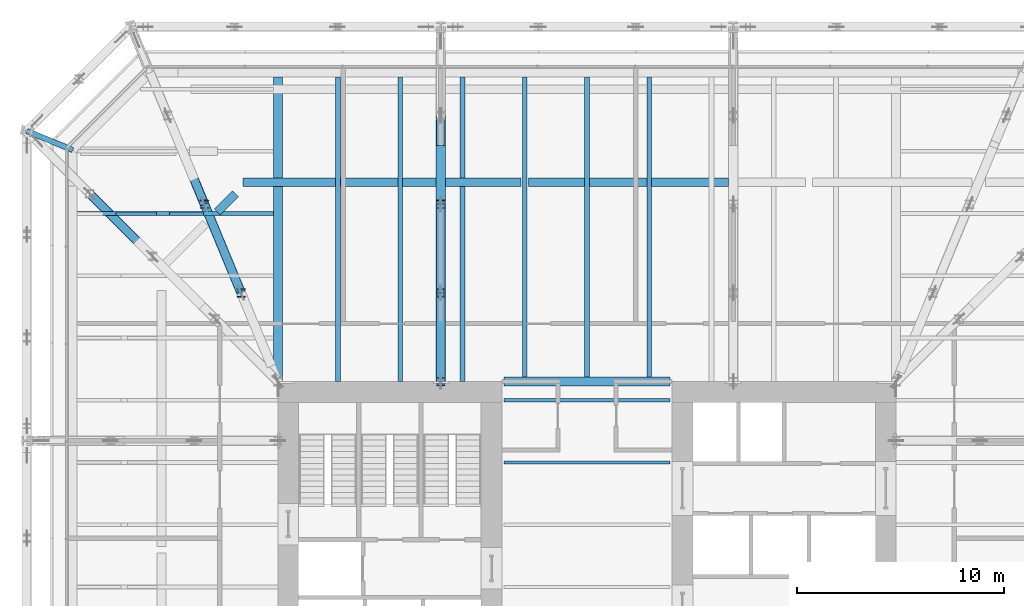
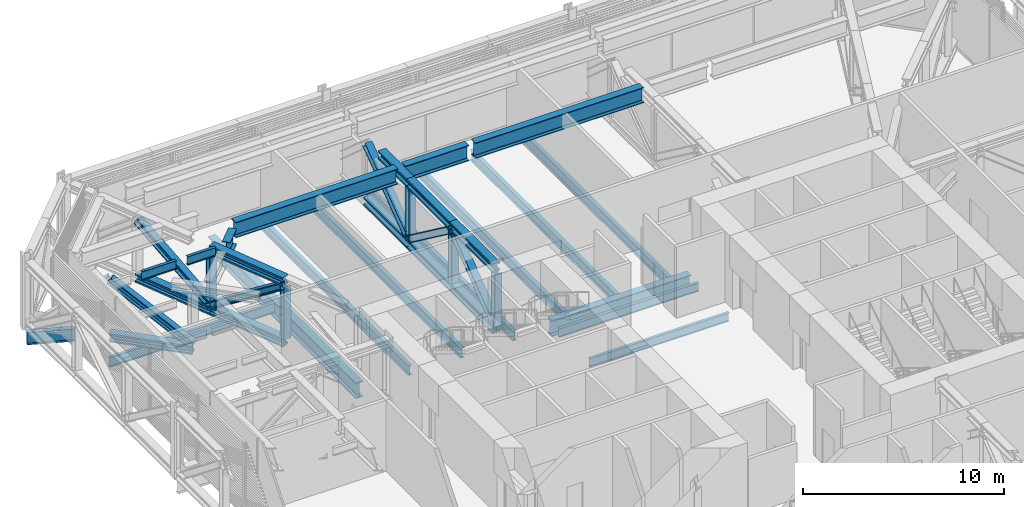
# One storey, part 15 of 33: 28 beams, 11 members.
"""IFC4 building model written with IfcOpenShell, lengths in metres."""

from ifc_helpers import new_model, si_unit, direction, frame, origin, origin_2d, place, context, subcontext, project, spatial, i_section, extrude, material, material_profile, profile_set, type_object, element, save


model = new_model("IFC4")

# Units and contexts
model_context = context("Model", 3, precision=1e-05, world=origin(), true_north=direction((0.0, 1.0)))
body_context = subcontext(model_context, "Body", "Model", "MODEL_VIEW")
ifc_project = project(units=[si_unit("LENGTHUNIT", "METRE"), si_unit("AREAUNIT", "SQUARE_METRE"), si_unit("VOLUMEUNIT", "CUBIC_METRE"), si_unit("PLANEANGLEUNIT", "RADIAN"), si_unit("MASSUNIT", "GRAM", prefix="KILO")], contexts=[model_context])

# Site, building, storey
site_placement = place(None, origin())
site = spatial("IfcSite", under=ifc_project, at=site_placement, CompositionType="ELEMENT")
building_placement = place(site_placement, origin())
building = spatial("IfcBuilding", under=site, at=building_placement, Name="Millrace Tower", CompositionType="ELEMENT")
storey_placement = place(building_placement, frame((0.0, 0.0, 64.10009765625)))
storey = spatial("IfcBuildingStorey", under=building, at=storey_placement, Name="L14", CompositionType="ELEMENT", Elevation=64.10009765625)

# Beams
ifc_material_1 = material(Name="Steel ASTM A992 Grade 50", Category="steel")
ifc_material_profile_1 = material_profile(ifc_material_1, i_section(OverallWidth=0.1650390625, OverallDepth=0.52587890625, WebThickness=0.0087890625, FlangeThickness=0.011474609375, FilletRadius=0.0126953125, at=origin_2d()))
ifc_profile_set_1 = profile_set([ifc_material_profile_1], Name="Steel ASTM A992 Grade 50")
beam_type_1 = type_object("IfcBeamType", Name="Floor beam W21x44", PredefinedType="JOIST", material=ifc_profile_set_1)
for number, where, z_axis, x_axis, name in (
    (1, (-4.0, 6.0, -0.512939453125), (1.0, 0.0, 0.0), (0.0, 1.0, 0.0), "BM-A-L14-S1-S026"),
    (2, (-4.0, 9.0, -0.512939453125), (1.0, 0.0, 0.0), (0.0, 1.0, 0.0), "BM-A-L14-S1-S029"),
):
    element("IfcBeam", number, at=place(storey_placement, frame(where, z_axis=z_axis, x_axis=x_axis)), inside=storey, type_object=beam_type_1, Name=name, PredefinedType="JOIST", context=body_context, shape_type="SweptSolid", body=[
        extrude(i_section(OverallWidth=0.1650390625, OverallDepth=0.52587890625, WebThickness=0.0087890625, FlangeThickness=0.011474609375, FilletRadius=0.0126953125, at=origin_2d()), origin(), (0.0, 0.0, 1.0), 8.0),
    ])
beam_1_placement = place(storey_placement, frame((-22.708740234375, 18.0, 4.037109375), z_axis=(1.0, 0.0, 0.0), x_axis=(0.0, 1.0, 0.0)))
element("IfcBeam", 3, at=beam_1_placement, inside=storey, type_object=beam_type_1, Name="BM-A-L14-R1-S015-b-a", PredefinedType="JOIST", context=body_context, shape_type="SweptSolid", body=[
    extrude(i_section(OverallWidth=0.1650390625, OverallDepth=0.52587890625, WebThickness=0.0087890625, FlangeThickness=0.011474609375, FilletRadius=0.0126953125, at=origin_2d()), origin(), (0.0, 0.0, 1.0), 1.967529296875),
])
beam_2_placement = place(storey_placement, frame((-20.115478515625, 18.0, 4.037109375), z_axis=(1.0, 0.0, 0.0), x_axis=(0.0, 1.0, 0.0)))
element("IfcBeam", 4, at=beam_2_placement, inside=storey, type_object=beam_type_1, Name="BM-A-L14-R1-S015-b-b", PredefinedType="JOIST", context=body_context, shape_type="SweptSolid", body=[
    extrude(i_section(OverallWidth=0.1650390625, OverallDepth=0.52587890625, WebThickness=0.0087890625, FlangeThickness=0.011474609375, FilletRadius=0.0126953125, at=origin_2d()), origin(), (0.0, 0.0, 1.0), 1.626220703125),
])
ifc_material_2 = material(Name="Steel ASTM A992 Grade 50", Category="steel")
ifc_material_profile_2 = material_profile(ifc_material_2, i_section(OverallWidth=0.177978515625, OverallDepth=0.599365234375, WebThickness=0.010009765625, FlangeThickness=0.012939453125, FilletRadius=0.012939453125, at=origin_2d()))
ifc_profile_set_2 = profile_set([ifc_material_profile_2], Name="Steel ASTM A992 Grade 50")
beam_type_2 = type_object("IfcBeamType", Name="Floor beam W24x55", PredefinedType="JOIST", material=ifc_profile_set_2)
beam_3_placement = place(storey_placement, frame((-24.578369140625, 18.0, -0.5498046875), z_axis=(1.0, 0.0, 0.0), x_axis=(0.0, 1.0, 0.0)))
element("IfcBeam", 5, at=beam_3_placement, inside=storey, type_object=beam_type_2, Name="BM-A-L14-S1-S036", PredefinedType="JOIST", context=body_context, shape_type="SweptSolid", body=[
    extrude(i_section(OverallWidth=0.177978515625, OverallDepth=0.599365234375, WebThickness=0.010009765625, FlangeThickness=0.012939453125, FilletRadius=0.012939453125, at=origin_2d()), origin(), (0.0, 0.0, 1.0), 9.46630859375),
])
ifc_material_3 = material(Name="Steel ASTM A992 Grade 50", Category="steel")
ifc_material_profile_3 = material_profile(ifc_material_3, i_section(OverallWidth=0.228271484375, OverallDepth=0.607177734375, WebThickness=0.01123046875, FlangeThickness=0.017333984375, FilletRadius=0.0126953125, at=origin_2d()))
ifc_profile_set_3 = profile_set([ifc_material_profile_3], Name="Steel ASTM A992 Grade 50")
beam_type_3 = type_object("IfcBeamType", Name="Floor beam W24x76", PredefinedType="JOIST", material=ifc_profile_set_3)
for number, where, z_axis, x_axis, name in (
    (6, (-12.0, 9.89990234375, -0.5537109375), (0.0, 1.0, 0.0), (-1.0, 0.0, 0.0), "BM-A-L14-S1-S042"),
    (7, (-9.0, 9.89990234375, -0.5537109375), (0.0, 1.0, 0.0), (-1.0, 0.0, 0.0), "BM-A-L14-S1-S044"),
    (8, (-6.0, 9.89990234375, -0.5537109375), (0.0, 1.0, 0.0), (-1.0, 0.0, 0.0), "BM-A-L14-S1-S046"),
):
    element("IfcBeam", number, at=place(storey_placement, frame(where, z_axis=z_axis, x_axis=x_axis)), inside=storey, type_object=beam_type_3, Name=name, PredefinedType="JOIST", context=body_context, shape_type="SweptSolid", body=[
        extrude(i_section(OverallWidth=0.228271484375, OverallDepth=0.607177734375, WebThickness=0.01123046875, FlangeThickness=0.017333984375, FilletRadius=0.0126953125, at=origin_2d()), origin(), (0.0, 0.0, 1.0), 14.678466796875),
    ])
for number, where, z_axis, x_axis, name in (
    (9, (-3.0, 10.112060546875, -0.5537109375), (0.0, 1.0, 0.0), (-1.0, 0.0, 0.0), "BM-A-L14-S1-S048"),
    (10, (0.0, 10.112060546875, -0.5537109375), (0.0, 1.0, 0.0), (-1.0, 0.0, 0.0), "BM-A-L14-S1-S050"),
    (11, (3.0, 10.112060546875, -0.5537109375), (0.0, 1.0, 0.0), (-1.0, 0.0, 0.0), "BM-A-L14-S1-S052"),
):
    element("IfcBeam", number, at=place(storey_placement, frame(where, z_axis=z_axis, x_axis=x_axis)), inside=storey, type_object=beam_type_3, Name=name, PredefinedType="JOIST", context=body_context, shape_type="SweptSolid", body=[
        extrude(i_section(OverallWidth=0.228271484375, OverallDepth=0.607177734375, WebThickness=0.01123046875, FlangeThickness=0.017333984375, FilletRadius=0.0126953125, at=origin_2d()), origin(), (0.0, 0.0, 1.0), 14.46630859375),
    ])
ifc_material_4 = material(Name="Steel ASTM A992 Grade 50", Category="steel")
ifc_material_profile_4 = material_profile(ifc_material_4, i_section(OverallWidth=0.424072265625, OverallDepth=0.947509765625, WebThickness=0.02392578125, FlangeThickness=0.042724609375, FilletRadius=0.024169921875, at=origin_2d()))
ifc_profile_set_4 = profile_set([ifc_material_profile_4], Name="Steel ASTM A992 Grade 50")
beam_type_4 = type_object("IfcBeamType", Name="Girder medium span W36x302", PredefinedType="BEAM", material=ifc_profile_set_4)
beam_4_placement = place(storey_placement, frame((-14.89990234375, 9.89990234375, -0.723876953125), z_axis=(0.0, 1.0, 0.0), x_axis=(-1.0, 0.0, 0.0)))
element("IfcBeam", 12, at=beam_4_placement, inside=storey, type_object=beam_type_4, Name="BM-A-L14-S1-G060", PredefinedType="BEAM", context=body_context, shape_type="SweptSolid", body=[
    extrude(i_section(OverallWidth=0.424072265625, OverallDepth=0.947509765625, WebThickness=0.02392578125, FlangeThickness=0.042724609375, FilletRadius=0.024169921875, at=origin_2d()), origin(), (0.0, 0.0, 1.0), 14.678466796875),
])
ifc_material_5 = material(Name="Steel ASTM A992 Grade 50", Category="steel")
ifc_material_profile_5 = material_profile(ifc_material_5, i_section(OverallWidth=0.424072265625, OverallDepth=0.947509765625, WebThickness=0.02392578125, FlangeThickness=0.042724609375, FilletRadius=0.024169921875, at=origin_2d()))
ifc_profile_set_5 = profile_set([ifc_material_profile_5], Name="Steel ASTM A992 Grade 50")
beam_type_5 = type_object("IfcBeamType", Name="Girder short span W36x302", PredefinedType="BEAM", material=ifc_profile_set_5)
beam_5_placement = place(storey_placement, frame((-4.0, 9.89990234375, -0.723876953125), z_axis=(1.0, 0.0, 0.0), x_axis=(0.0, 1.0, 0.0)))
element("IfcBeam", 13, at=beam_5_placement, inside=storey, type_object=beam_type_5, Name="BM-A-L14-S1-G064", PredefinedType="BEAM", context=body_context, shape_type="SweptSolid", body=[
    extrude(i_section(OverallWidth=0.424072265625, OverallDepth=0.947509765625, WebThickness=0.02392578125, FlangeThickness=0.042724609375, FilletRadius=0.024169921875, at=origin_2d()), origin(), (0.0, 0.0, 1.0), 8.0),
])
ifc_material_6 = material(Name="Steel ASTM A992 Grade 50", Category="steel")
ifc_material_profile_6 = material_profile(ifc_material_6, i_section(OverallWidth=0.2666015625, OverallDepth=0.7568359375, WebThickness=0.013916015625, FlangeThickness=0.019287109375, FilletRadius=0.0166015625, at=origin_2d()))
ifc_profile_set_6 = profile_set([ifc_material_profile_6], Name="Steel ASTM A992 Grade 50")
beam_type_6 = type_object("IfcBeamType", Name="Link beam W30x108", PredefinedType="BEAM", material=ifc_profile_set_6)
beam_6_placement = place(storey_placement, frame((-24.7890625, 21.062744140625, -0.628662109375), z_axis=(-0.923883789366, 0.382673155247, 0.0), x_axis=(-0.382673155247, -0.923883789366, 0.0)))
element("IfcBeam", 14, at=beam_6_placement, inside=storey, type_object=beam_type_6, Name="LNK-A-L14-S1-04", PredefinedType="BEAM", context=body_context, shape_type="SweptSolid", body=[
    extrude(i_section(OverallWidth=0.2666015625, OverallDepth=0.7568359375, WebThickness=0.013916015625, FlangeThickness=0.019287109375, FilletRadius=0.0166015625, at=origin_2d()), origin(), (0.0, 0.0, 1.0), 2.39306640625),
])
ifc_material_7 = material(Name="Steel ASTM A992 Grade 50", Category="steel")
ifc_material_profile_7 = material_profile(ifc_material_7, i_section(OverallWidth=0.436767578125, OverallDepth=0.51318359375, WebThickness=0.060546875, FlangeThickness=0.096923828125, FilletRadius=0.01513671875, at=origin_2d()))
ifc_profile_set_7 = profile_set([ifc_material_profile_7], Name="Steel ASTM A992 Grade 50")
beam_type_7 = type_object("IfcBeamType", Name="Outrigger truss chord W14x550", PredefinedType="BEAM", material=ifc_profile_set_7)
for number, where, z_axis, x_axis, name in (
    (15, (-7.050048828125, 9.89990234375, 0.25634765625), (0.0, 1.0, 0.0), (-1.0, 0.0, 0.0), "BLT-L14-O12-B01"),
    (16, (-7.050048828125, 9.89990234375, 3.943359375), (0.0, 1.0, 0.0), (-1.0, 0.0, 0.0), "BLT-L14-O12-T01"),
):
    element("IfcBeam", number, at=place(storey_placement, frame(where, z_axis=z_axis, x_axis=x_axis)), inside=storey, type_object=beam_type_7, Name=name, PredefinedType="BEAM", context=body_context, shape_type="SweptSolid", body=[
        extrude(i_section(OverallWidth=0.436767578125, OverallDepth=0.51318359375, WebThickness=0.060546875, FlangeThickness=0.096923828125, FilletRadius=0.01513671875, at=origin_2d()), origin(), (0.0, 0.0, 1.0), 4.275146484375),
    ])
for number, where, z_axis, x_axis, name in (
    (17, (-7.050048828125, 14.175048828125, 0.25634765625), (0.0, 1.0, 0.0), (-1.0, 0.0, 0.0), "BLT-L14-O12-B02"),
    (18, (-7.050048828125, 14.175048828125, 3.943359375), (0.0, 1.0, 0.0), (-1.0, 0.0, 0.0), "BLT-L14-O12-T02"),
):
    element("IfcBeam", number, at=place(storey_placement, frame(where, z_axis=z_axis, x_axis=x_axis)), inside=storey, type_object=beam_type_7, Name=name, PredefinedType="BEAM", context=body_context, shape_type="SweptSolid", body=[
        extrude(i_section(OverallWidth=0.436767578125, OverallDepth=0.51318359375, WebThickness=0.060546875, FlangeThickness=0.096923828125, FilletRadius=0.01513671875, at=origin_2d()), origin(), (0.0, 0.0, 1.0), 4.27490234375),
    ])
beam_7_placement = place(storey_placement, frame((-7.050048828125, 18.449951171875, 0.25634765625), z_axis=(0.0, 1.0, 0.0), x_axis=(-1.0, 0.0, 0.0)))
element("IfcBeam", 19, at=beam_7_placement, inside=storey, type_object=beam_type_7, Name="BLT-L14-O12-B03", PredefinedType="BEAM", context=body_context, shape_type="SweptSolid", body=[
    extrude(i_section(OverallWidth=0.436767578125, OverallDepth=0.51318359375, WebThickness=0.060546875, FlangeThickness=0.096923828125, FilletRadius=0.01513671875, at=origin_2d()), origin(), (0.0, 0.0, 1.0), 4.275146484375),
])
for number, where, z_axis, x_axis, name in (
    (20, (-16.669677734375, 14.175048828125, 0.25634765625), (-0.382463647717, 0.923970539669, 0.0), (-0.923970539669, -0.382463647717, 0.0), "BLT-L14-O13-B02"),
    (21, (-16.669677734375, 14.175048828125, 3.943359375), (-0.382463647717, 0.923970539669, 0.0), (-0.923970539669, -0.382463647717, 0.0), "BLT-L14-O13-T02"),
):
    element("IfcBeam", number, at=place(storey_placement, frame(where, z_axis=z_axis, x_axis=x_axis)), inside=storey, type_object=beam_type_7, Name=name, PredefinedType="BEAM", context=body_context, shape_type="SweptSolid", body=[
        extrude(i_section(OverallWidth=0.436767578125, OverallDepth=0.51318359375, WebThickness=0.060546875, FlangeThickness=0.096923828125, FilletRadius=0.01513671875, at=origin_2d()), origin(), (0.0, 0.0, 1.0), 4.626708984375),
    ])
beam_8_placement = place(storey_placement, frame((-18.439208984375, 18.449951171875, 0.25634765625), z_axis=(-0.382445001063, 0.923978257949, 0.0), x_axis=(-0.923978257949, -0.382445001063, 0.0)))
element("IfcBeam", 22, at=beam_8_placement, inside=storey, type_object=beam_type_7, Name="BLT-L14-O13-B03", PredefinedType="BEAM", context=body_context, shape_type="SweptSolid", body=[
    extrude(i_section(OverallWidth=0.436767578125, OverallDepth=0.51318359375, WebThickness=0.060546875, FlangeThickness=0.096923828125, FilletRadius=0.01513671875, at=origin_2d()), origin(), (0.0, 0.0, 1.0), 4.626953125),
])
beam_9_placement = place(storey_placement, frame((-20.949951171875, 15.939208984375, 0.25634765625), z_axis=(-0.707763346272, 0.706449605899, 0.0), x_axis=(-0.706449605899, -0.707763346272, 0.0)))
element("IfcBeam", 23, at=beam_9_placement, inside=storey, type_object=beam_type_7, Name="BLT-L14-O14-B03", PredefinedType="BEAM", context=body_context, shape_type="SweptSolid", body=[
    extrude(i_section(OverallWidth=0.436767578125, OverallDepth=0.51318359375, WebThickness=0.060546875, FlangeThickness=0.096923828125, FilletRadius=0.01513671875, at=origin_2d()), origin(), (0.0, 0.0, 1.0), 4.274169921875),
])
beam_10_placement = place(storey_placement, frame((-7.050048828125, 18.449951171875, 3.943359375), z_axis=(0.0, 1.0, 0.0), x_axis=(-1.0, 0.0, 0.0)))
element("IfcBeam", 24, at=beam_10_placement, inside=storey, type_object=beam_type_7, Name="BLT-L14-O12-T03", PredefinedType="BEAM", context=body_context, shape_type="SweptSolid", body=[
    extrude(i_section(OverallWidth=0.436767578125, OverallDepth=0.51318359375, WebThickness=0.060546875, FlangeThickness=0.096923828125, FilletRadius=0.01513671875, at=origin_2d()), origin(), (0.0, 0.0, 1.0), 2.832763671875),
])

# Members
ifc_material_8 = material(Name="Steel ASTM A992 Grade 50", Category="steel")
ifc_material_profile_8 = material_profile(ifc_material_8, i_section(OverallWidth=0.40380859375, OverallDepth=0.406494140625, WebThickness=0.027099609375, FlangeThickness=0.043701171875, FilletRadius=0.01513671875, at=origin_2d()))
ifc_profile_set_8 = profile_set([ifc_material_profile_8], Name="Steel ASTM A992 Grade 50")
member_type_1 = type_object("IfcMemberType", Name="Outrigger truss diagonal W14x233", PredefinedType="BRACE", material=ifc_profile_set_8)
member_1_placement = place(storey_placement, frame((-7.050048828125, 9.89990234375, 0.512939453125), z_axis=(0.0, 0.802923169461, 0.596082531151), x_axis=(-1.0, 0.0, 0.0)))
element("IfcMember", 25, at=member_1_placement, inside=storey, type_object=member_type_1, Name="BLT-L14-O12-D01", PredefinedType="BRACE", context=body_context, shape_type="SweptSolid", body=[
    extrude(i_section(OverallWidth=0.40380859375, OverallDepth=0.406494140625, WebThickness=0.027099609375, FlangeThickness=0.043701171875, FilletRadius=0.01513671875, at=origin_2d()), origin(), (0.0, 0.0, 1.0), 5.324462890625),
])
member_2_placement = place(storey_placement, frame((-7.050048828125, 18.449951171875, 0.512939453125), z_axis=(0.0, -0.802906876507, 0.596104477133), x_axis=(1.0, 0.0, 0.0)))
element("IfcMember", 26, at=member_2_placement, inside=storey, type_object=member_type_1, Name="BLT-L14-O12-D02", PredefinedType="BRACE", context=body_context, shape_type="SweptSolid", body=[
    extrude(i_section(OverallWidth=0.40380859375, OverallDepth=0.406494140625, WebThickness=0.027099609375, FlangeThickness=0.043701171875, FilletRadius=0.01513671875, at=origin_2d()), origin(), (0.0, 0.0, 1.0), 5.32421875),
])
member_3_placement = place(storey_placement, frame((-7.050048828125, 18.449951171875, 0.512939453125), z_axis=(0.0, 0.802923169461, 0.596082531151), x_axis=(-1.0, 0.0, 0.0)))
element("IfcMember", 27, at=member_3_placement, inside=storey, type_object=member_type_1, Name="BLT-L14-O12-D03", PredefinedType="BRACE", context=body_context, shape_type="SweptSolid", body=[
    extrude(i_section(OverallWidth=0.40380859375, OverallDepth=0.406494140625, WebThickness=0.027099609375, FlangeThickness=0.043701171875, FilletRadius=0.01513671875, at=origin_2d()), origin(), (0.0, 0.0, 1.0), 5.324462890625),
])
member_4_placement = place(storey_placement, frame((-18.439208984375, 18.449951171875, 0.512939453125), z_axis=(0.315388812458, -0.761928546652, 0.565680817046), x_axis=(0.923970539669, 0.382463647717, 0.0)))
element("IfcMember", 28, at=member_4_placement, inside=storey, type_object=member_type_1, Name="BLT-L14-O13-D02", PredefinedType="BRACE", context=body_context, shape_type="SweptSolid", body=[
    extrude(i_section(OverallWidth=0.40380859375, OverallDepth=0.406494140625, WebThickness=0.027099609375, FlangeThickness=0.043701171875, FilletRadius=0.01513671875, at=origin_2d()), origin(), (0.0, 0.0, 1.0), 5.610595703125),
])
member_5_placement = place(storey_placement, frame((-18.439208984375, 18.449951171875, 0.512939453125), z_axis=(-0.315378356124, 0.761946798301, 0.565662062584), x_axis=(-0.923978257949, -0.382445001063, 0.0)))
element("IfcMember", 29, at=member_5_placement, inside=storey, type_object=member_type_1, Name="BLT-L14-O13-D03", PredefinedType="BRACE", context=body_context, shape_type="SweptSolid", body=[
    extrude(i_section(OverallWidth=0.40380859375, OverallDepth=0.406494140625, WebThickness=0.027099609375, FlangeThickness=0.043701171875, FilletRadius=0.01513671875, at=origin_2d()), origin(), (0.0, 0.0, 1.0), 5.61083984375),
])
member_6_placement = place(storey_placement, frame((-20.949951171875, 15.939208984375, 0.512939453125), z_axis=(-0.568236504847, 0.567181752235, 0.596164519652), x_axis=(-0.706449605899, -0.707763346272, 0.0)))
element("IfcMember", 30, at=member_6_placement, inside=storey, type_object=member_type_1, Name="BLT-L14-O14-D03", PredefinedType="BRACE", context=body_context, shape_type="SweptSolid", body=[
    extrude(i_section(OverallWidth=0.40380859375, OverallDepth=0.406494140625, WebThickness=0.027099609375, FlangeThickness=0.043701171875, FilletRadius=0.01513671875, at=origin_2d()), origin(), (0.0, 0.0, 1.0), 5.32373046875),
])
ifc_material_9 = material(Name="Steel ASTM A992 Grade 50", Category="steel")
ifc_material_profile_9 = material_profile(ifc_material_9, i_section(OverallWidth=0.398681640625, OverallDepth=0.393798828125, WebThickness=0.022705078125, FlangeThickness=0.03662109375, FilletRadius=0.01513671875, at=origin_2d()))
ifc_profile_set_9 = profile_set([ifc_material_profile_9], Name="Steel ASTM A992 Grade 50")
member_type_2 = type_object("IfcMemberType", Name="Outrigger truss post W14x193", PredefinedType="POST", material=ifc_profile_set_9)
for number, where, z_axis, x_axis, name in (
    (31, (-7.050048828125, 9.89990234375, 0.512939453125), (0.0, 0.0, 1.0), (1.0, 0.0, 0.0), "BLT-L14-O12-V00"),
    (32, (-7.050048828125, 14.175048828125, 0.512939453125), (0.0, 0.0, 1.0), (1.0, 0.0, 0.0), "BLT-L14-O12-V01"),
    (33, (-7.050048828125, 18.449951171875, 0.512939453125), (0.0, 0.0, 1.0), (1.0, 0.0, 0.0), "BLT-L14-O12-V02"),
    (34, (-16.669677734375, 14.175048828125, 0.512939453125), (0.0, 0.0, 1.0), (1.0, 0.0, 0.0), "BLT-L14-O13-V01"),
    (35, (-18.439208984375, 18.449951171875, 0.512939453125), (0.0, 0.0, 1.0), (1.0, 0.0, 0.0), "BLT-L14-O13-V02"),
):
    element("IfcMember", number, at=place(storey_placement, frame(where, z_axis=z_axis, x_axis=x_axis)), inside=storey, type_object=member_type_2, Name=name, PredefinedType="POST", context=body_context, shape_type="SweptSolid", body=[
        extrude(i_section(OverallWidth=0.398681640625, OverallDepth=0.393798828125, WebThickness=0.022705078125, FlangeThickness=0.03662109375, FilletRadius=0.01513671875, at=origin_2d()), origin(), (0.0, 0.0, 1.0), 3.173828125),
    ])

# Beams
ifc_material_10 = material(Name="Steel ASTM A992 Grade 50", Category="steel")
ifc_material_profile_10 = material_profile(ifc_material_10, i_section(OverallWidth=0.421630859375, OverallDepth=0.937255859375, WebThickness=0.021240234375, FlangeThickness=0.03662109375, FilletRadius=0.024169921875, at=origin_2d()))
ifc_profile_set_10 = profile_set([ifc_material_profile_10], Name="Steel ASTM A992 Grade 50")
beam_type_8 = type_object("IfcBeamType", Name="Ring beam short span W36x262", PredefinedType="SPANDREL", material=ifc_profile_set_10)
beam_11_placement = place(storey_placement, frame((-16.947021484375, 18.951171875, 3.831298828125), z_axis=(-0.707106781187, -0.707106781187, 0.0), x_axis=(0.707106781187, -0.707106781187, 0.0)))
element("IfcBeam", 36, at=beam_11_placement, inside=storey, type_object=beam_type_8, Name="RNG-A-L14-R1-12-a", PredefinedType="SPANDREL", context=body_context, shape_type="SweptSolid", body=[
    extrude(i_section(OverallWidth=0.421630859375, OverallDepth=0.937255859375, WebThickness=0.021240234375, FlangeThickness=0.03662109375, FilletRadius=0.024169921875, at=origin_2d()), origin(), (0.0, 0.0, 1.0), 1.2353515625),
])
beam_12_placement = place(storey_placement, frame((-7.271240234375, 19.5107421875, 3.831298828125), z_axis=(-1.0, 0.0, 0.0), x_axis=(0.0, -1.0, 0.0)))
element("IfcBeam", 37, at=beam_12_placement, inside=storey, type_object=beam_type_8, Name="RNG-A-L14-R1-11-b-b-b", PredefinedType="SPANDREL", context=body_context, shape_type="SweptSolid", body=[
    extrude(i_section(OverallWidth=0.421630859375, OverallDepth=0.937255859375, WebThickness=0.021240234375, FlangeThickness=0.03662109375, FilletRadius=0.024169921875, at=origin_2d()), origin(), (0.0, 0.0, 1.0), 9.300048828125),
])
beam_13_placement = place(storey_placement, frame((6.828857421875, 19.5107421875, 3.831298828125), z_axis=(-1.0, 0.0, 0.0), x_axis=(0.0, -1.0, 0.0)))
element("IfcBeam", 38, at=beam_13_placement, inside=storey, type_object=beam_type_8, Name="RNG-A-L14-R1-11-b-b-a-a", PredefinedType="SPANDREL", context=body_context, shape_type="SweptSolid", body=[
    extrude(i_section(OverallWidth=0.421630859375, OverallDepth=0.937255859375, WebThickness=0.021240234375, FlangeThickness=0.03662109375, FilletRadius=0.024169921875, at=origin_2d()), origin(), (0.0, 0.0, 1.0), 9.646484375),
])
beam_14_placement = place(storey_placement, frame((-3.1904296875, 19.5107421875, 3.831298828125), z_axis=(-1.0, 0.0, 0.0), x_axis=(0.0, -1.0, 0.0)))
element("IfcBeam", 39, at=beam_14_placement, inside=storey, type_object=beam_type_8, Name="RNG-A-L14-R1-11-b-b-a-b", PredefinedType="SPANDREL", context=body_context, shape_type="SweptSolid", body=[
    extrude(i_section(OverallWidth=0.421630859375, OverallDepth=0.937255859375, WebThickness=0.021240234375, FlangeThickness=0.03662109375, FilletRadius=0.024169921875, at=origin_2d()), origin(), (0.0, 0.0, 1.0), 3.638427734375),
])

save(model, "model.ifc")
